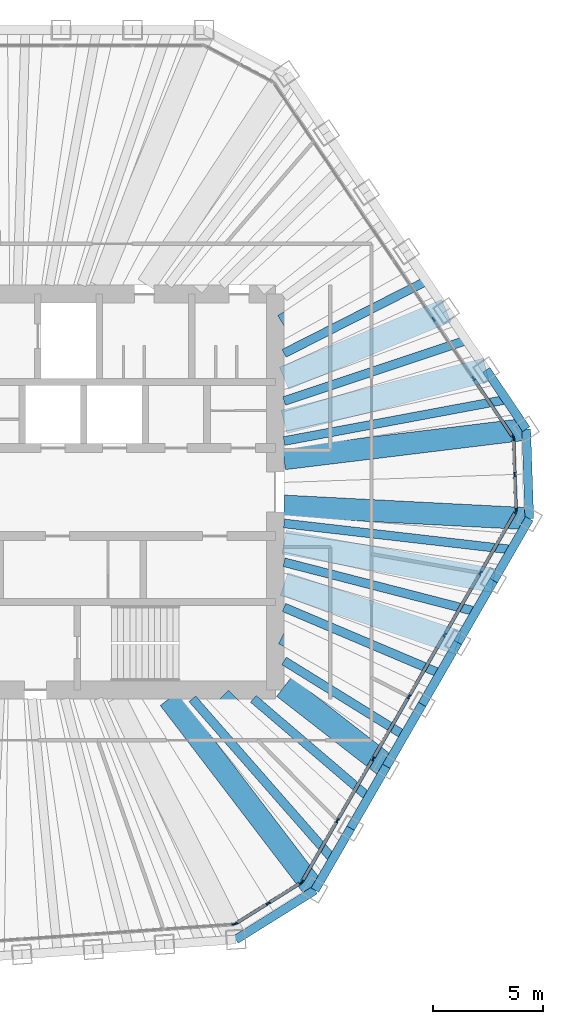
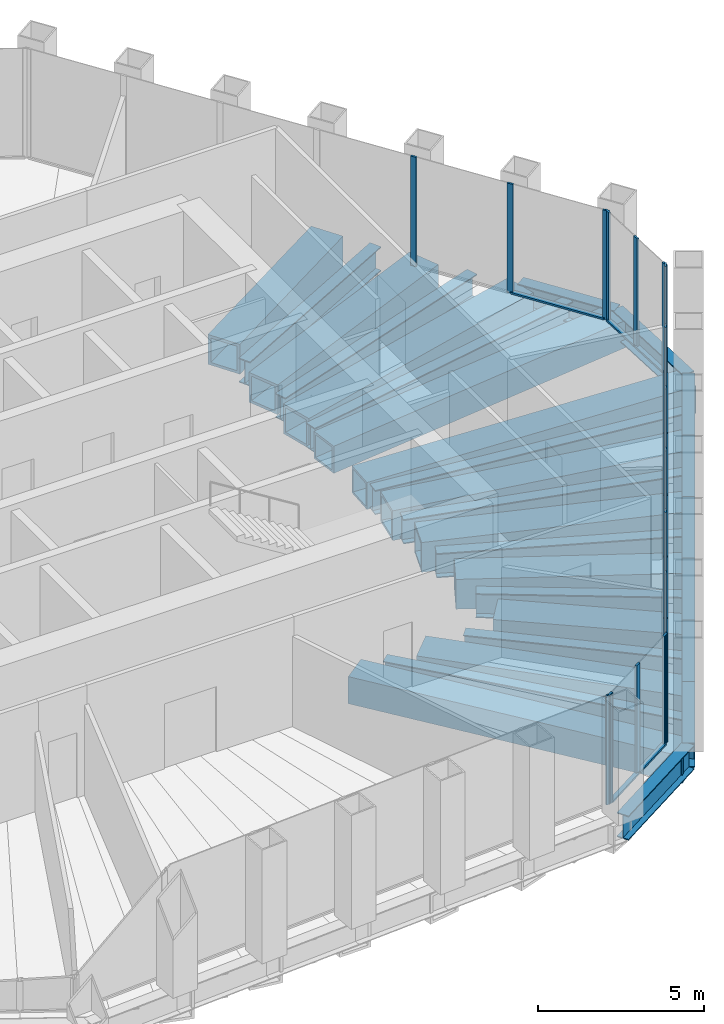
# One storey, part 5 of 14: 29 beams, 28 members, 5 elements without a shape of their own.
"""IFC4 building model written with IfcOpenShell, lengths in metres."""

from ifc_helpers import new_model, si_unit, direction, frame, origin, origin_2d, place, context, subcontext, project, spatial, rectangle, hollow_rectangle, i_section, extrude, material, material_profile, profile_set, type_object, element, aggregate, save


model = new_model("IFC4")

# Units and contexts
model_context = context("Model", 3, precision=1e-05, world=origin(), true_north=direction((0.0, 1.0)))
body_context = subcontext(model_context, "Body", "Model", "MODEL_VIEW")
ifc_project = project(units=[si_unit("LENGTHUNIT", "METRE"), si_unit("AREAUNIT", "SQUARE_METRE"), si_unit("VOLUMEUNIT", "CUBIC_METRE"), si_unit("PLANEANGLEUNIT", "RADIAN"), si_unit("MASSUNIT", "GRAM", prefix="KILO")], contexts=[model_context])

# Site, building, storey
site_placement = place(None, origin())
site = spatial("IfcSite", under=ifc_project, at=site_placement, CompositionType="ELEMENT")
building_placement = place(site_placement, origin())
building = spatial("IfcBuilding", under=site, at=building_placement, Name="Qingtian Harvest Tower", CompositionType="ELEMENT")
storey_placement = place(building_placement, frame((0.0, 0.0, 304.0)))
storey = spatial("IfcBuildingStorey", under=building, at=storey_placement, Name="L67", CompositionType="ELEMENT", Elevation=304.0)

# Beams
ifc_material_1 = material(Name="Steel SN490B", Category="steel")
ifc_material_profile_1 = material_profile(ifc_material_1, i_section(OverallWidth=0.39990234375, OverallDepth=0.89990234375, WebThickness=0.01904296875, FlangeThickness=0.035888671875, at=origin_2d()), Name="H900x400x19x36")
ifc_profile_set_1 = profile_set([ifc_material_profile_1], Name="Steel SN490B")
beam_type_1 = type_object("IfcBeamType", Name="Floor joist J4 H900x400x19x36", PredefinedType="JOIST", material=ifc_profile_set_1)
beam_1_placement = place(storey_placement, frame((18.864990234375, 9.585693359375, -0.6201171875), z_axis=(-0.891519956149, -0.452981421018, 0.0), x_axis=(0.452981421018, -0.891519956149, 0.0)))
element("IfcBeam", 1, at=beam_1_placement, inside=storey, type_object=beam_type_1, Name="Floor joist J4 NE3", PredefinedType="JOIST", context=body_context, shape_type="SweptSolid", body=[
    extrude(i_section(OverallWidth=0.39990234375, OverallDepth=0.89990234375, WebThickness=0.01904296875, FlangeThickness=0.035888671875, at=origin_2d()), origin(), (0.0, 0.0, 1.0), 7.251708984375),
])
beam_2_placement = place(storey_placement, frame((20.68115234375, 6.89306640625, -0.6201171875), z_axis=(-0.948688891587, -0.316210984914, 0.0), x_axis=(0.316210984914, -0.948688891587, 0.0)))
element("IfcBeam", 2, at=beam_2_placement, inside=storey, type_object=beam_type_1, Name="Floor joist J4 NE4", PredefinedType="JOIST", context=body_context, shape_type="SweptSolid", body=[
    extrude(i_section(OverallWidth=0.39990234375, OverallDepth=0.89990234375, WebThickness=0.01904296875, FlangeThickness=0.035888671875, at=origin_2d()), origin(), (0.0, 0.0, 1.0), 8.729248046875),
])
beam_3_placement = place(storey_placement, frame((22.49755859375, 4.2001953125, -0.6201171875), z_axis=(-0.983018248018, -0.183507831067, 0.0), x_axis=(0.183507831067, -0.983018248018, 0.0)))
element("IfcBeam", 3, at=beam_3_placement, inside=storey, type_object=beam_type_1, Name="Floor joist J4 NE5", PredefinedType="JOIST", context=body_context, shape_type="SweptSolid", body=[
    extrude(i_section(OverallWidth=0.39990234375, OverallDepth=0.89990234375, WebThickness=0.01904296875, FlangeThickness=0.035888671875, at=origin_2d()), origin(), (0.0, 0.0, 1.0), 10.27197265625),
])
beam_4_placement = place(storey_placement, frame((22.735595703125, -2.62060546875, -0.6201171875), z_axis=(-0.993421775836, 0.114512773499, 0.0), x_axis=(-0.114512773499, -0.993421775836, 0.0)))
element("IfcBeam", 4, at=beam_4_placement, inside=storey, type_object=beam_type_1, Name="Floor joist J4 SE0", PredefinedType="JOIST", context=body_context, shape_type="SweptSolid", body=[
    extrude(i_section(OverallWidth=0.39990234375, OverallDepth=0.89990234375, WebThickness=0.01904296875, FlangeThickness=0.035888671875, at=origin_2d()), origin(), (0.0, 0.0, 1.0), 10.404052734375),
])
beam_5_placement = place(storey_placement, frame((21.111572265625, -5.43359375, -0.6201171875), z_axis=(-0.968438109541, 0.249254143374, 0.0), x_axis=(-0.249254143374, -0.968438109541, 0.0)))
element("IfcBeam", 5, at=beam_5_placement, inside=storey, type_object=beam_type_1, Name="Floor joist J4 SE1", PredefinedType="JOIST", context=body_context, shape_type="SweptSolid", body=[
    extrude(i_section(OverallWidth=0.39990234375, OverallDepth=0.89990234375, WebThickness=0.01904296875, FlangeThickness=0.035888671875, at=origin_2d()), origin(), (0.0, 0.0, 1.0), 8.99560546875),
])
beam_6_placement = place(storey_placement, frame((19.487548828125, -8.246337890625, -0.6201171875), z_axis=(-0.92094842321, 0.389684490052, 0.0), x_axis=(-0.389684490052, -0.92094842321, 0.0)))
element("IfcBeam", 6, at=beam_6_placement, inside=storey, type_object=beam_type_1, Name="Floor joist J4 SE2", PredefinedType="JOIST", context=body_context, shape_type="SweptSolid", body=[
    extrude(i_section(OverallWidth=0.39990234375, OverallDepth=0.89990234375, WebThickness=0.01904296875, FlangeThickness=0.035888671875, at=origin_2d()), origin(), (0.0, 0.0, 1.0), 7.696044921875),
])
beam_7_placement = place(storey_placement, frame((17.863525390625, -11.059326171875, -0.6201171875), z_axis=(-0.850242474743, 0.526391236765, 0.0), x_axis=(-0.526391236765, -0.850242474743, 0.0)))
element("IfcBeam", 7, at=beam_7_placement, inside=storey, type_object=beam_type_1, Name="Floor joist J4 SE3", PredefinedType="JOIST", context=body_context, shape_type="SweptSolid", body=[
    extrude(i_section(OverallWidth=0.39990234375, OverallDepth=0.89990234375, WebThickness=0.01904296875, FlangeThickness=0.035888671875, at=origin_2d()), origin(), (0.0, 0.0, 1.0), 6.426025390625),
])
beam_8_placement = place(storey_placement, frame((16.239501953125, -13.8720703125, -0.6201171875), z_axis=(-0.760351789284, 0.649511475289, 0.0), x_axis=(-0.649511475289, -0.760351789284, 0.0)))
element("IfcBeam", 8, at=beam_8_placement, inside=storey, type_object=beam_type_1, Name="Floor joist J4 SE4", PredefinedType="JOIST", context=body_context, shape_type="SweptSolid", body=[
    extrude(i_section(OverallWidth=0.39990234375, OverallDepth=0.89990234375, WebThickness=0.01904296875, FlangeThickness=0.035888671875, at=origin_2d()), origin(), (0.0, 0.0, 1.0), 6.885498046875),
])
beam_9_placement = place(storey_placement, frame((14.615478515625, -16.68505859375, -0.6201171875), z_axis=(-0.658904284354, 0.75222679031, 0.0), x_axis=(-0.75222679031, -0.658904284354, 0.0)))
element("IfcBeam", 9, at=beam_9_placement, inside=storey, type_object=beam_type_1, Name="Floor joist J4 SE5", PredefinedType="JOIST", context=body_context, shape_type="SweptSolid", body=[
    extrude(i_section(OverallWidth=0.39990234375, OverallDepth=0.89990234375, WebThickness=0.01904296875, FlangeThickness=0.035888671875, at=origin_2d()), origin(), (0.0, 0.0, 1.0), 9.684814453125),
])

# Curtain wall, members
ifc_material_2 = material(Name="Bronze-anodised aluminium curtain wall", Category="aluminium")
curtain_wall_type = type_object("IfcCurtainWallType", Name="Curtain wall CW5 upper office", PredefinedType="USERDEFINED", material=ifc_material_2)
curtain_wall_1_placement = place(storey_placement, origin())
curtain_wall_1 = element("IfcCurtainWall", 10, at=curtain_wall_1_placement, inside=storey, type_object=curtain_wall_type, Name="Curtain wall CW5 L67 NE0-5", ObjectType="RECESSED CURTAIN WALL", PredefinedType="USERDEFINED")
ifc_material_3 = material(Name="Bronze-anodised aluminium mullion", Category="aluminium")
ifc_material_profile_2 = material_profile(ifc_material_3, rectangle(XDim=0.06494140625, YDim=0.199951171875, at=origin_2d()), Name="AL 65x200")
ifc_profile_set_2 = profile_set([ifc_material_profile_2], Name="Bronze-anodised aluminium mullion")
member_type_1 = type_object("IfcMemberType", Name="Mullion CWM 65x200", PredefinedType="MULLION", material=ifc_profile_set_2)
member_1_placement = place(storey_placement, frame((19.192626953125, 7.847900390625, 0.0), z_axis=(0.0, 0.0, 1.0), x_axis=(0.829037572555, 0.559192903471, 0.0)))
member_1 = element("IfcMember", 11, at=member_1_placement, type_object=member_type_1, Name="CW5 mullion 5", PredefinedType="MULLION", context=body_context, shape_type="SweptSolid", body=[
    extrude(rectangle(XDim=0.06494140625, YDim=0.199951171875, at=origin_2d()), origin(), (0.0, 0.0, 1.0), 4.030029296875),
])
member_2_placement = place(storey_placement, frame((21.009033203125, 5.1552734375, 0.0), z_axis=(0.0, 0.0, 1.0), x_axis=(0.829037572555, 0.559192903471, 0.0)))
member_2 = element("IfcMember", 12, at=member_2_placement, type_object=member_type_1, Name="CW5 mullion 6", PredefinedType="MULLION", context=body_context, shape_type="SweptSolid", body=[
    extrude(rectangle(XDim=0.06494140625, YDim=0.199951171875, at=origin_2d()), origin(), (0.0, 0.0, 1.0), 4.030029296875),
])
member_3_placement = place(storey_placement, frame((22.80712890625, 2.489501953125, 0.0), z_axis=(0.0, 0.0, 1.0), x_axis=(0.829037572555, 0.559192903471, 0.0)))
member_3 = element("IfcMember", 13, at=member_3_placement, type_object=member_type_1, Name="CW5 mullion 7", PredefinedType="MULLION", context=body_context, shape_type="SweptSolid", body=[
    extrude(rectangle(XDim=0.06494140625, YDim=0.199951171875, at=origin_2d()), origin(), (0.0, 0.0, 1.0), 4.030029296875),
])

curtain_wall_2_placement = place(storey_placement, origin())
curtain_wall_2 = element("IfcCurtainWall", 14, at=curtain_wall_2_placement, inside=storey, type_object=curtain_wall_type, Name="Curtain wall CW5 L67 NEC", ObjectType="RECESSED CURTAIN WALL", PredefinedType="USERDEFINED")
member_4_placement = place(storey_placement, frame((22.826416015625, 2.429931640625, 0.0), z_axis=(0.0, 0.0, 1.0), x_axis=(0.999390827019, 0.034899496703, 0.0)))
member_4 = element("IfcMember", 15, at=member_4_placement, type_object=member_type_1, Name="CW5 mullion 1", PredefinedType="MULLION", context=body_context, shape_type="SweptSolid", body=[
    extrude(rectangle(XDim=0.06494140625, YDim=0.199951171875, at=origin_2d()), origin(), (0.0, 0.0, 1.0), 4.030029296875),
])
member_5_placement = place(storey_placement, frame((22.88330078125, 0.799072265625, 0.0), z_axis=(0.0, 0.0, 1.0), x_axis=(0.999390827019, 0.034899496703, 0.0)))
member_5 = element("IfcMember", 16, at=member_5_placement, type_object=member_type_1, Name="CW5 mullion 2", PredefinedType="MULLION", context=body_context, shape_type="SweptSolid", body=[
    extrude(rectangle(XDim=0.06494140625, YDim=0.199951171875, at=origin_2d()), origin(), (0.0, 0.0, 1.0), 4.030029296875),
])
member_6_placement = place(storey_placement, frame((22.9404296875, -0.831787109375, 0.0), z_axis=(0.0, 0.0, 1.0), x_axis=(0.999390827019, 0.034899496703, 0.0)))
member_6 = element("IfcMember", 17, at=member_6_placement, type_object=member_type_1, Name="CW5 mullion 3", PredefinedType="MULLION", context=body_context, shape_type="SweptSolid", body=[
    extrude(rectangle(XDim=0.06494140625, YDim=0.199951171875, at=origin_2d()), origin(), (0.0, 0.0, 1.0), 4.030029296875),
])

curtain_wall_3_placement = place(storey_placement, origin())
curtain_wall_3 = element("IfcCurtainWall", 18, at=curtain_wall_3_placement, inside=storey, type_object=curtain_wall_type, Name="Curtain wall CW5 L67 SE0-5", ObjectType="RECESSED CURTAIN WALL", PredefinedType="USERDEFINED")
member_7_placement = place(storey_placement, frame((22.92529296875, -0.892333984375, 0.0), z_axis=(0.0, 0.0, 1.0), x_axis=(0.866025403784, -0.5, 0.0)))
member_7 = element("IfcMember", 19, at=member_7_placement, type_object=member_type_1, Name="CW5 mullion 1", PredefinedType="MULLION", context=body_context, shape_type="SweptSolid", body=[
    extrude(rectangle(XDim=0.06494140625, YDim=0.199951171875, at=origin_2d()), origin(), (0.0, 0.0, 1.0), 4.030029296875),
])
member_8_placement = place(storey_placement, frame((21.3173828125, -3.67724609375, 0.0), z_axis=(0.0, 0.0, 1.0), x_axis=(0.866025403784, -0.5, 0.0)))
member_8 = element("IfcMember", 20, at=member_8_placement, type_object=member_type_1, Name="CW5 mullion 2", PredefinedType="MULLION", context=body_context, shape_type="SweptSolid", body=[
    extrude(rectangle(XDim=0.06494140625, YDim=0.199951171875, at=origin_2d()), origin(), (0.0, 0.0, 1.0), 4.030029296875),
])
member_9_placement = place(storey_placement, frame((19.693359375, -6.489990234375, 0.0), z_axis=(0.0, 0.0, 1.0), x_axis=(0.866025403784, -0.5, 0.0)))
member_9 = element("IfcMember", 21, at=member_9_placement, type_object=member_type_1, Name="CW5 mullion 3", PredefinedType="MULLION", context=body_context, shape_type="SweptSolid", body=[
    extrude(rectangle(XDim=0.06494140625, YDim=0.199951171875, at=origin_2d()), origin(), (0.0, 0.0, 1.0), 4.030029296875),
])
member_10_placement = place(storey_placement, frame((18.0693359375, -9.302978515625, 0.0), z_axis=(0.0, 0.0, 1.0), x_axis=(0.866025403784, -0.5, 0.0)))
member_10 = element("IfcMember", 22, at=member_10_placement, type_object=member_type_1, Name="CW5 mullion 4", PredefinedType="MULLION", context=body_context, shape_type="SweptSolid", body=[
    extrude(rectangle(XDim=0.06494140625, YDim=0.199951171875, at=origin_2d()), origin(), (0.0, 0.0, 1.0), 4.030029296875),
])
member_11_placement = place(storey_placement, frame((16.4453125, -12.11572265625, 0.0), z_axis=(0.0, 0.0, 1.0), x_axis=(0.866025403784, -0.5, 0.0)))
member_11 = element("IfcMember", 23, at=member_11_placement, type_object=member_type_1, Name="CW5 mullion 5", PredefinedType="MULLION", context=body_context, shape_type="SweptSolid", body=[
    extrude(rectangle(XDim=0.06494140625, YDim=0.199951171875, at=origin_2d()), origin(), (0.0, 0.0, 1.0), 4.030029296875),
])
member_12_placement = place(storey_placement, frame((14.8212890625, -14.9287109375, 0.0), z_axis=(0.0, 0.0, 1.0), x_axis=(0.866025403784, -0.5, 0.0)))
member_12 = element("IfcMember", 24, at=member_12_placement, type_object=member_type_1, Name="CW5 mullion 6", PredefinedType="MULLION", context=body_context, shape_type="SweptSolid", body=[
    extrude(rectangle(XDim=0.06494140625, YDim=0.199951171875, at=origin_2d()), origin(), (0.0, 0.0, 1.0), 4.030029296875),
])
member_13_placement = place(storey_placement, frame((13.213623046875, -17.71337890625, 0.0), z_axis=(0.0, 0.0, 1.0), x_axis=(0.866025403784, -0.5, 0.0)))
member_13 = element("IfcMember", 25, at=member_13_placement, type_object=member_type_1, Name="CW5 mullion 7", PredefinedType="MULLION", context=body_context, shape_type="SweptSolid", body=[
    extrude(rectangle(XDim=0.06494140625, YDim=0.199951171875, at=origin_2d()), origin(), (0.0, 0.0, 1.0), 4.030029296875),
])

curtain_wall_4_placement = place(storey_placement, origin())
curtain_wall_4 = element("IfcCurtainWall", 26, at=curtain_wall_4_placement, inside=storey, type_object=curtain_wall_type, Name="Curtain wall CW5 L67 SEC", ObjectType="RECESSED CURTAIN WALL", PredefinedType="USERDEFINED")
member_14_placement = place(storey_placement, frame((13.169921875, -17.7587890625, 0.0), z_axis=(0.0, 0.0, 1.0), x_axis=(0.529919264233, -0.848048096156, 0.0)))
member_14 = element("IfcMember", 27, at=member_14_placement, type_object=member_type_1, Name="CW5 mullion 1", PredefinedType="MULLION", context=body_context, shape_type="SweptSolid", body=[
    extrude(rectangle(XDim=0.06494140625, YDim=0.199951171875, at=origin_2d()), origin(), (0.0, 0.0, 1.0), 4.030029296875),
])
member_15_placement = place(storey_placement, frame((11.678955078125, -18.690185546875, 0.0), z_axis=(0.0, 0.0, 1.0), x_axis=(0.529919264233, -0.848048096156, 0.0)))
member_15 = element("IfcMember", 28, at=member_15_placement, type_object=member_type_1, Name="CW5 mullion 2", PredefinedType="MULLION", context=body_context, shape_type="SweptSolid", body=[
    extrude(rectangle(XDim=0.06494140625, YDim=0.199951171875, at=origin_2d()), origin(), (0.0, 0.0, 1.0), 4.030029296875),
])
member_16_placement = place(storey_placement, frame((10.188232421875, -19.621826171875, 0.0), z_axis=(0.0, 0.0, 1.0), x_axis=(0.529919264233, -0.848048096156, 0.0)))
member_16 = element("IfcMember", 29, at=member_16_placement, type_object=member_type_1, Name="CW5 mullion 3", PredefinedType="MULLION", context=body_context, shape_type="SweptSolid", body=[
    extrude(rectangle(XDim=0.06494140625, YDim=0.199951171875, at=origin_2d()), origin(), (0.0, 0.0, 1.0), 4.030029296875),
])

# Curtain wall, member
curtain_wall_5_placement = place(storey_placement, origin())
curtain_wall_5 = element("IfcCurtainWall", 30, at=curtain_wall_5_placement, inside=storey, type_object=curtain_wall_type, Name="Curtain wall CW5 L67 S0-5", ObjectType="RECESSED CURTAIN WALL", PredefinedType="USERDEFINED")
member_17_placement = place(storey_placement, frame((10.128173828125, -19.641357421875, 0.0), z_axis=(0.0, 0.0, 1.0), x_axis=(0.069756473744, -0.99756405026, 0.0)))
member_17 = element("IfcMember", 31, at=member_17_placement, type_object=member_type_1, Name="CW5 mullion 1", PredefinedType="MULLION", context=body_context, shape_type="SweptSolid", body=[
    extrude(rectangle(XDim=0.06494140625, YDim=0.199951171875, at=origin_2d()), origin(), (0.0, 0.0, 1.0), 4.030029296875),
])
aggregate(curtain_wall_5, [member_17])

# Beams
ifc_material_4 = material(Name="Steel SN490B", Category="steel")
ifc_material_profile_3 = material_profile(ifc_material_4, i_section(OverallWidth=0.39990234375, OverallDepth=0.89990234375, WebThickness=0.01904296875, FlangeThickness=0.035888671875, at=origin_2d()), Name="H900x400x19x36")
ifc_profile_set_3 = profile_set([ifc_material_profile_3], Name="Steel SN490B")
beam_type_2 = type_object("IfcBeamType", Name="Spandrel beam SB4 H900x400x19x36", PredefinedType="SPANDREL", material=ifc_profile_set_3)
beam_10_placement = place(storey_placement, frame((21.58935546875, 5.546630859375, -0.449951171875), z_axis=(0.559184924833, -0.829042954158, 0.0), x_axis=(0.829042954158, 0.559184924833, 0.0)))
element("IfcBeam", 32, at=beam_10_placement, inside=storey, type_object=beam_type_2, Name="Spandrel SB4 NE5", PredefinedType="SPANDREL", context=body_context, shape_type="SweptSolid", body=[
    extrude(i_section(OverallWidth=0.39990234375, OverallDepth=0.89990234375, WebThickness=0.01904296875, FlangeThickness=0.035888671875, at=origin_2d()), origin(), (0.0, 0.0, 1.0), 3.247802734375),
])
beam_11_placement = place(storey_placement, frame((23.405517578125, 2.85400390625, -0.449951171875), z_axis=(0.034904306503, -0.999390659046, 0.0), x_axis=(0.999390659046, 0.034904306503, 0.0)))
element("IfcBeam", 33, at=beam_11_placement, inside=storey, type_object=beam_type_2, Name="Spandrel SB4 NEC", PredefinedType="SPANDREL", context=body_context, shape_type="SweptSolid", body=[
    extrude(i_section(OverallWidth=0.39990234375, OverallDepth=0.89990234375, WebThickness=0.01904296875, FlangeThickness=0.035888671875, at=origin_2d()), origin(), (0.0, 0.0, 1.0), 4.07080078125),
])
beam_12_placement = place(storey_placement, frame((23.547607421875, -1.21435546875, -0.449951171875), z_axis=(-0.500019593356, -0.866014091259, 0.0), x_axis=(0.866014091259, -0.500019593356, 0.0)))
element("IfcBeam", 34, at=beam_12_placement, inside=storey, type_object=beam_type_2, Name="Spandrel SB4 SE0", PredefinedType="SPANDREL", context=body_context, shape_type="SweptSolid", body=[
    extrude(i_section(OverallWidth=0.39990234375, OverallDepth=0.89990234375, WebThickness=0.01904296875, FlangeThickness=0.035888671875, at=origin_2d()), origin(), (0.0, 0.0, 1.0), 3.247802734375),
])
beam_13_placement = place(storey_placement, frame((21.923583984375, -4.027099609375, -0.449951171875), z_axis=(-0.499987045439, -0.866032882975, 0.0), x_axis=(0.866032882975, -0.499987045439, 0.0)))
element("IfcBeam", 35, at=beam_13_placement, inside=storey, type_object=beam_type_2, Name="Spandrel SB4 SE1", PredefinedType="SPANDREL", context=body_context, shape_type="SweptSolid", body=[
    extrude(i_section(OverallWidth=0.39990234375, OverallDepth=0.89990234375, WebThickness=0.01904296875, FlangeThickness=0.035888671875, at=origin_2d()), origin(), (0.0, 0.0, 1.0), 3.248046875),
])
beam_14_placement = place(storey_placement, frame((20.299560546875, -6.840087890625, -0.449951171875), z_axis=(-0.500019593356, -0.866014091259, 0.0), x_axis=(0.866014091259, -0.500019593356, 0.0)))
element("IfcBeam", 36, at=beam_14_placement, inside=storey, type_object=beam_type_2, Name="Spandrel SB4 SE2", PredefinedType="SPANDREL", context=body_context, shape_type="SweptSolid", body=[
    extrude(i_section(OverallWidth=0.39990234375, OverallDepth=0.89990234375, WebThickness=0.01904296875, FlangeThickness=0.035888671875, at=origin_2d()), origin(), (0.0, 0.0, 1.0), 3.247802734375),
])
beam_15_placement = place(storey_placement, frame((18.675537109375, -9.65283203125, -0.449951171875), z_axis=(-0.499987045439, -0.866032882975, 0.0), x_axis=(0.866032882975, -0.499987045439, 0.0)))
element("IfcBeam", 37, at=beam_15_placement, inside=storey, type_object=beam_type_2, Name="Spandrel SB4 SE3", PredefinedType="SPANDREL", context=body_context, shape_type="SweptSolid", body=[
    extrude(i_section(OverallWidth=0.39990234375, OverallDepth=0.89990234375, WebThickness=0.01904296875, FlangeThickness=0.035888671875, at=origin_2d()), origin(), (0.0, 0.0, 1.0), 3.248046875),
])
beam_16_placement = place(storey_placement, frame((17.051513671875, -12.4658203125, -0.449951171875), z_axis=(-0.500019593356, -0.866014091259, 0.0), x_axis=(0.866014091259, -0.500019593356, 0.0)))
element("IfcBeam", 38, at=beam_16_placement, inside=storey, type_object=beam_type_2, Name="Spandrel SB4 SE4", PredefinedType="SPANDREL", context=body_context, shape_type="SweptSolid", body=[
    extrude(i_section(OverallWidth=0.39990234375, OverallDepth=0.89990234375, WebThickness=0.01904296875, FlangeThickness=0.035888671875, at=origin_2d()), origin(), (0.0, 0.0, 1.0), 3.247802734375),
])
beam_17_placement = place(storey_placement, frame((15.427490234375, -15.278564453125, -0.449951171875), z_axis=(-0.499987045439, -0.866032882975, 0.0), x_axis=(0.866032882975, -0.499987045439, 0.0)))
element("IfcBeam", 39, at=beam_17_placement, inside=storey, type_object=beam_type_2, Name="Spandrel SB4 SE5", PredefinedType="SPANDREL", context=body_context, shape_type="SweptSolid", body=[
    extrude(i_section(OverallWidth=0.39990234375, OverallDepth=0.89990234375, WebThickness=0.01904296875, FlangeThickness=0.035888671875, at=origin_2d()), origin(), (0.0, 0.0, 1.0), 3.248046875),
])
beam_18_placement = place(storey_placement, frame((13.803466796875, -18.091552734375, -0.449951171875), z_axis=(-0.848040374245, -0.529931621675, 0.0), x_axis=(0.529931621675, -0.848040374245, 0.0)))
element("IfcBeam", 40, at=beam_18_placement, inside=storey, type_object=beam_type_2, Name="Spandrel SB4 SEC", PredefinedType="SPANDREL", context=body_context, shape_type="SweptSolid", body=[
    extrude(i_section(OverallWidth=0.39990234375, OverallDepth=0.89990234375, WebThickness=0.01904296875, FlangeThickness=0.035888671875, at=origin_2d()), origin(), (0.0, 0.0, 1.0), 4.238037109375),
])
ifc_material_5 = material(Name="Steel SM570MC", Category="steel")
ifc_material_profile_4 = material_profile(ifc_material_5, hollow_rectangle(XDim=1.0, YDim=1.0, WallThickness=0.080078125, at=origin_2d()), Name="BOX1000x1000x80")
ifc_profile_set_4 = profile_set([ifc_material_profile_4], Name="Steel SM570MC")
beam_type_3 = type_object("IfcBeamType", Name="Transfer corner beam FB11 BOX1000x1000x80", PredefinedType="BEAM", material=ifc_profile_set_4)
beam_19_placement = place(storey_placement, frame((23.405517578125, 2.85400390625, -0.669921875), z_axis=(-0.992647039178, -0.121044849583, 0.0), x_axis=(0.121044849583, -0.992647039178, 0.0)))
element("IfcBeam", 41, at=beam_19_placement, inside=storey, type_object=beam_type_3, Name="Floor beam FB11 NE6", PredefinedType="BEAM", context=body_context, shape_type="SweptSolid", body=[
    extrude(hollow_rectangle(XDim=1.0, YDim=1.0, WallThickness=0.080078125, at=origin_2d()), origin(), (0.0, 0.0, 1.0), 11.087158203125),
])
beam_20_placement = place(storey_placement, frame((23.547607421875, -1.21435546875, -0.669921875), z_axis=(-0.998672618964, 0.051507282312, 0.0), x_axis=(-0.051507282312, -0.998672618964, 0.0)))
element("IfcBeam", 42, at=beam_20_placement, inside=storey, type_object=beam_type_3, Name="Floor beam FB11 SE0", PredefinedType="BEAM", context=body_context, shape_type="SweptSolid", body=[
    extrude(hollow_rectangle(XDim=1.0, YDim=1.0, WallThickness=0.080078125, at=origin_2d()), origin(), (0.0, 0.0, 1.0), 11.16259765625),
])
beam_21_placement = place(storey_placement, frame((13.803466796875, -18.091552734375, -0.669921875), z_axis=(-0.606571927806, 0.795028613572, 0.0), x_axis=(-0.795028613572, -0.606571927806, 0.0)))
element("IfcBeam", 43, at=beam_21_placement, inside=storey, type_object=beam_type_3, Name="Floor beam FB11 SE6", PredefinedType="BEAM", context=body_context, shape_type="SweptSolid", body=[
    extrude(hollow_rectangle(XDim=1.0, YDim=1.0, WallThickness=0.080078125, at=origin_2d()), origin(), (0.0, 0.0, 1.0), 10.9326171875),
])
ifc_material_6 = material(Name="Steel SM570MC", Category="steel")
ifc_material_profile_5 = material_profile(ifc_material_6, hollow_rectangle(XDim=1.10009765625, YDim=1.10009765625, WallThickness=0.10009765625, at=origin_2d()), Name="BOX1100x1100x100")
ifc_profile_set_5 = profile_set([ifc_material_profile_5], Name="Steel SM570MC")
beam_type_4 = type_object("IfcBeamType", Name="Transfer floor beam FB9 BOX1100x1100x100", PredefinedType="BEAM", material=ifc_profile_set_5)
beam_22_placement = place(storey_placement, frame((17.956787109375, 10.93212890625, -0.719970703125), z_axis=(-0.854157247087, -0.520014804836, 0.0), x_axis=(0.520014804836, -0.854157247087, 0.0)))
element("IfcBeam", 44, at=beam_22_placement, inside=storey, type_object=beam_type_4, Name="Floor beam FB9 NE3", PredefinedType="BEAM", context=body_context, shape_type="SweptSolid", body=[
    extrude(hollow_rectangle(XDim=1.10009765625, YDim=1.10009765625, WallThickness=0.10009765625, at=origin_2d()), origin(), (0.0, 0.0, 1.0), 6.505615234375),
])
beam_23_placement = place(storey_placement, frame((19.77294921875, 8.2392578125, -0.719970703125), z_axis=(-0.923069688542, -0.38463274704, 0.0), x_axis=(0.38463274704, -0.923069688542, 0.0)))
element("IfcBeam", 45, at=beam_23_placement, inside=storey, type_object=beam_type_4, Name="Floor beam FB9 NE4", PredefinedType="BEAM", context=body_context, shape_type="SweptSolid", body=[
    extrude(hollow_rectangle(XDim=1.10009765625, YDim=1.10009765625, WallThickness=0.10009765625, at=origin_2d()), origin(), (0.0, 0.0, 1.0), 7.987548828125),
])
beam_24_placement = place(storey_placement, frame((21.58935546875, 5.546630859375, -0.719970703125), z_axis=(-0.96854787986, -0.248827258189, 0.0), x_axis=(0.248827258189, -0.96854787986, 0.0)))
element("IfcBeam", 46, at=beam_24_placement, inside=storey, type_object=beam_type_4, Name="Floor beam FB9 NE5", PredefinedType="BEAM", context=body_context, shape_type="SweptSolid", body=[
    extrude(hollow_rectangle(XDim=1.10009765625, YDim=1.10009765625, WallThickness=0.10009765625, at=origin_2d()), origin(), (0.0, 0.0, 1.0), 9.48779296875),
])
beam_25_placement = place(storey_placement, frame((21.923583984375, -4.027099609375, -0.719970703125), z_axis=(-0.983546800525, 0.180653511389, 0.0), x_axis=(-0.180653511389, -0.983546800525, 0.0)))
element("IfcBeam", 47, at=beam_25_placement, inside=storey, type_object=beam_type_4, Name="Floor beam FB9 SE1", PredefinedType="BEAM", context=body_context, shape_type="SweptSolid", body=[
    extrude(hollow_rectangle(XDim=1.10009765625, YDim=1.10009765625, WallThickness=0.10009765625, at=origin_2d()), origin(), (0.0, 0.0, 1.0), 9.68310546875),
])
beam_26_placement = place(storey_placement, frame((20.299560546875, -6.840087890625, -0.719970703125), z_axis=(-0.947647345861, 0.319318818553, 0.0), x_axis=(-0.319318818553, -0.947647345861, 0.0)))
element("IfcBeam", 48, at=beam_26_placement, inside=storey, type_object=beam_type_4, Name="Floor beam FB9 SE2", PredefinedType="BEAM", context=body_context, shape_type="SweptSolid", body=[
    extrude(hollow_rectangle(XDim=1.10009765625, YDim=1.10009765625, WallThickness=0.10009765625, at=origin_2d()), origin(), (0.0, 0.0, 1.0), 8.336181640625),
])
beam_27_placement = place(storey_placement, frame((18.675537109375, -9.65283203125, -0.719970703125), z_axis=(-0.888354253651, 0.459158708967, 0.0), x_axis=(-0.459158708967, -0.888354253651, 0.0)))
element("IfcBeam", 49, at=beam_27_placement, inside=storey, type_object=beam_type_4, Name="Floor beam FB9 SE3", PredefinedType="BEAM", context=body_context, shape_type="SweptSolid", body=[
    extrude(hollow_rectangle(XDim=1.10009765625, YDim=1.10009765625, WallThickness=0.10009765625, at=origin_2d()), origin(), (0.0, 0.0, 1.0), 7.064453125),
])
beam_28_placement = place(storey_placement, frame((17.051513671875, -12.4658203125, -0.719970703125), z_axis=(-0.789532919969, 0.613708211029, 0.0), x_axis=(-0.613708211029, -0.789532919969, 0.0)))
element("IfcBeam", 50, at=beam_28_placement, inside=storey, type_object=beam_type_4, Name="Floor beam FB9 SE4", PredefinedType="BEAM", context=body_context, shape_type="SweptSolid", body=[
    extrude(hollow_rectangle(XDim=1.10009765625, YDim=1.10009765625, WallThickness=0.10009765625, at=origin_2d()), origin(), (0.0, 0.0, 1.0), 5.8916015625),
])
beam_29_placement = place(storey_placement, frame((15.427490234375, -15.278564453125, -0.719970703125), z_axis=(-0.71051769643, 0.703679332552, 0.0), x_axis=(-0.703679332552, -0.71051769643, 0.0)))
element("IfcBeam", 51, at=beam_29_placement, inside=storey, type_object=beam_type_4, Name="Floor beam FB9 SE5", PredefinedType="BEAM", context=body_context, shape_type="SweptSolid", body=[
    extrude(hollow_rectangle(XDim=1.10009765625, YDim=1.10009765625, WallThickness=0.10009765625, at=origin_2d()), origin(), (0.0, 0.0, 1.0), 8.354248046875),
])

# Member
ifc_material_7 = material(Name="Bronze-anodised aluminium transom", Category="aluminium")
ifc_material_profile_6 = material_profile(ifc_material_7, rectangle(XDim=0.14990234375, YDim=0.06494140625, at=origin_2d()), Name="AL 65x150")
ifc_profile_set_6 = profile_set([ifc_material_profile_6], Name="Bronze-anodised aluminium transom")
member_type_2 = type_object("IfcMemberType", Name="Transom CWT 65x150", PredefinedType="USERDEFINED", material=ifc_profile_set_6)
member_18_placement = place(storey_placement, frame((21.027099609375, 5.128173828125, 0.032470703125), z_axis=(0.559198649732, -0.829033696624, 0.0), x_axis=(0.829033696624, 0.559198649732, 0.0)))
member_18 = element("IfcMember", 52, at=member_18_placement, type_object=member_type_2, Name="CW5 transom 6.1", ObjectType="TRANSOM", PredefinedType="USERDEFINED", context=body_context, shape_type="SweptSolid", body=[
    extrude(rectangle(XDim=0.14990234375, YDim=0.06494140625, at=origin_2d()), origin(), (0.0, 0.0, 1.0), 3.150390625),
])

aggregate(curtain_wall_1, [member_1, member_2, member_3, member_18])

member_19_placement = place(storey_placement, frame((22.82763671875, 2.3974609375, 0.032470703125), z_axis=(0.034902326647, -0.999390728191, 0.0), x_axis=(0.999390728191, 0.034902326647, 0.0)))
member_19 = element("IfcMember", 53, at=member_19_placement, type_object=member_type_2, Name="CW5 transom 1.1", ObjectType="TRANSOM", PredefinedType="USERDEFINED", context=body_context, shape_type="SweptSolid", body=[
    extrude(rectangle(XDim=0.14990234375, YDim=0.06494140625, at=origin_2d()), origin(), (0.0, 0.0, 1.0), 1.56689453125),
])

member_20_placement = place(storey_placement, frame((22.884521484375, 0.7666015625, 0.032470703125), z_axis=(0.034902326647, -0.999390728191, 0.0), x_axis=(0.999390728191, 0.034902326647, 0.0)))
member_20 = element("IfcMember", 54, at=member_20_placement, type_object=member_type_2, Name="CW5 transom 2.1", ObjectType="TRANSOM", PredefinedType="USERDEFINED", context=body_context, shape_type="SweptSolid", body=[
    extrude(rectangle(XDim=0.14990234375, YDim=0.06494140625, at=origin_2d()), origin(), (0.0, 0.0, 1.0), 1.56689453125),
])

aggregate(curtain_wall_2, [member_4, member_5, member_6, member_19, member_20])

member_21_placement = place(storey_placement, frame((22.908935546875, -0.920654296875, 0.032470703125), z_axis=(-0.50000643655, -0.866021687608, 0.0), x_axis=(0.866021687608, -0.50000643655, 0.0)))
member_21 = element("IfcMember", 55, at=member_21_placement, type_object=member_type_2, Name="CW5 transom 1.1", ObjectType="TRANSOM", PredefinedType="USERDEFINED", context=body_context, shape_type="SweptSolid", body=[
    extrude(rectangle(XDim=0.14990234375, YDim=0.06494140625, at=origin_2d()), origin(), (0.0, 0.0, 1.0), 3.150390625),
])

member_22_placement = place(storey_placement, frame((21.30126953125, -3.705322265625, 0.032470703125), z_axis=(-0.5000079448, -0.866020816803, 0.0), x_axis=(0.866020816803, -0.5000079448, 0.0)))
member_22 = element("IfcMember", 56, at=member_22_placement, type_object=member_type_2, Name="CW5 transom 2.1", ObjectType="TRANSOM", PredefinedType="USERDEFINED", context=body_context, shape_type="SweptSolid", body=[
    extrude(rectangle(XDim=0.14990234375, YDim=0.06494140625, at=origin_2d()), origin(), (0.0, 0.0, 1.0), 3.18310546875),
])

member_23_placement = place(storey_placement, frame((19.67724609375, -6.51806640625, 0.032470703125), z_axis=(-0.5000079448, -0.866020816803, 0.0), x_axis=(0.866020816803, -0.5000079448, 0.0)))
member_23 = element("IfcMember", 57, at=member_23_placement, type_object=member_type_2, Name="CW5 transom 3.1", ObjectType="TRANSOM", PredefinedType="USERDEFINED", context=body_context, shape_type="SweptSolid", body=[
    extrude(rectangle(XDim=0.14990234375, YDim=0.06494140625, at=origin_2d()), origin(), (0.0, 0.0, 1.0), 3.18310546875),
])

member_24_placement = place(storey_placement, frame((18.05322265625, -9.3310546875, 0.032470703125), z_axis=(-0.5000079448, -0.866020816803, 0.0), x_axis=(0.866020816803, -0.5000079448, 0.0)))
member_24 = element("IfcMember", 58, at=member_24_placement, type_object=member_type_2, Name="CW5 transom 4.1", ObjectType="TRANSOM", PredefinedType="USERDEFINED", context=body_context, shape_type="SweptSolid", body=[
    extrude(rectangle(XDim=0.14990234375, YDim=0.06494140625, at=origin_2d()), origin(), (0.0, 0.0, 1.0), 3.18310546875),
])

member_25_placement = place(storey_placement, frame((16.42919921875, -12.143798828125, 0.032470703125), z_axis=(-0.5000079448, -0.866020816803, 0.0), x_axis=(0.866020816803, -0.5000079448, 0.0)))
member_25 = element("IfcMember", 59, at=member_25_placement, type_object=member_type_2, Name="CW5 transom 5.1", ObjectType="TRANSOM", PredefinedType="USERDEFINED", context=body_context, shape_type="SweptSolid", body=[
    extrude(rectangle(XDim=0.14990234375, YDim=0.06494140625, at=origin_2d()), origin(), (0.0, 0.0, 1.0), 3.18310546875),
])

member_26_placement = place(storey_placement, frame((14.80517578125, -14.956787109375, 0.032470703125), z_axis=(-0.499972881236, -0.866041060244, 0.0), x_axis=(0.866041060244, -0.499972881236, 0.0)))
member_26 = element("IfcMember", 60, at=member_26_placement, type_object=member_type_2, Name="CW5 transom 6.1", ObjectType="TRANSOM", PredefinedType="USERDEFINED", context=body_context, shape_type="SweptSolid", body=[
    extrude(rectangle(XDim=0.14990234375, YDim=0.06494140625, at=origin_2d()), origin(), (0.0, 0.0, 1.0), 3.150634765625),
])

aggregate(curtain_wall_3, [member_7, member_8, member_9, member_10, member_11, member_12, member_13, member_21, member_22, member_23, member_24, member_25, member_26])

member_27_placement = place(storey_placement, frame((13.142333984375, -17.77587890625, 0.032470703125), z_axis=(-0.84803880708, -0.529934129573, 0.0), x_axis=(0.529934129573, -0.84803880708, 0.0)))
member_27 = element("IfcMember", 61, at=member_27_placement, type_object=member_type_2, Name="CW5 transom 1.1", ObjectType="TRANSOM", PredefinedType="USERDEFINED", context=body_context, shape_type="SweptSolid", body=[
    extrude(rectangle(XDim=0.14990234375, YDim=0.06494140625, at=origin_2d()), origin(), (0.0, 0.0, 1.0), 1.693115234375),
])

member_28_placement = place(storey_placement, frame((11.6513671875, -18.70751953125, 0.032470703125), z_axis=(-0.847998304005, -0.529998940003, 0.0), x_axis=(0.529998940003, -0.847998304005, 0.0)))
member_28 = element("IfcMember", 62, at=member_28_placement, type_object=member_type_2, Name="CW5 transom 2.1", ObjectType="TRANSOM", PredefinedType="USERDEFINED", context=body_context, shape_type="SweptSolid", body=[
    extrude(rectangle(XDim=0.14990234375, YDim=0.06494140625, at=origin_2d()), origin(), (0.0, 0.0, 1.0), 1.69287109375),
])

aggregate(curtain_wall_4, [member_14, member_15, member_16, member_27, member_28])

save(model, "model.ifc")
